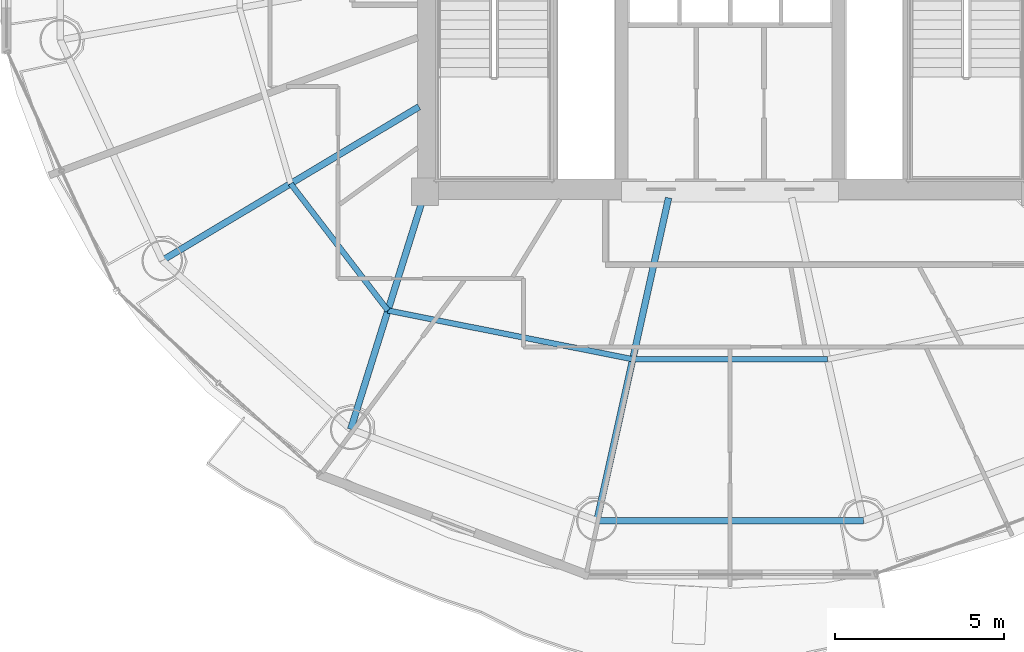
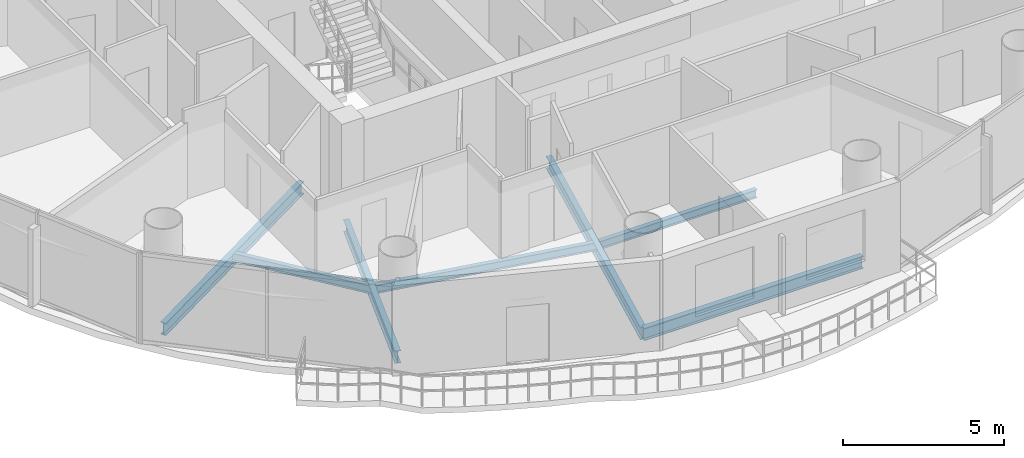
# One storey, part 4 of 26: 7 beams.
"""IFC4 building model written with IfcOpenShell, lengths in metres."""

import ifcopenshell
import ifcopenshell.guid

model = None  # the IFC model being written
_history = None  # IfcOwnerHistory: only IFC2X3 demands one
_inside = {}  # id of a spatial element -> (the spatial element, [elements in it])
_under = {}  # id of a project, library or spatial element -> (it, [spatial elements below it])
_declared = {}  # id of a project -> (the project, [libraries it declares])
_typed = {}  # id of a type object -> (the type object, [elements of that type])
_made_of = {}  # id of a material, layer set ... -> (it, [elements and type objects made of it])


def new_model(schema):
    """Start an empty IFC model of exactly this schema.

    Asked for "IFC4X3", IfcOpenShell would pick the latest addendum, in which some entities
    have other attributes; the version numbers below select the first issue.
    IFC2X3 requires an IfcOwnerHistory on every rooted entity: one is made here for all.
    """
    global model, _history
    if schema == "IFC4X3":
        model = ifcopenshell.file(schema_version=(4, 3, 0, 0))
    else:
        model = ifcopenshell.file(schema=schema)
    _inside.clear()
    _under.clear()
    _declared.clear()
    _typed.clear()
    _made_of.clear()
    _history = None
    if model.schema == "IFC2X3":
        org = make("IfcOrganization", Name="unknown")
        user = make(
            "IfcPersonAndOrganization",
            ThePerson=make("IfcPerson", FamilyName="unknown"),
            TheOrganization=org,
        )
        app = make(
            "IfcApplication",
            ApplicationDeveloper=org,
            Version="unknown",
            ApplicationFullName="unknown",
            ApplicationIdentifier="unknown",
        )
        _history = make(
            "IfcOwnerHistory",
            OwningUser=user,
            OwningApplication=app,
            ChangeAction="ADDED",
            CreationDate=0,
        )
    return model


def make(cls, **values):
    """One entity of the class cls with the attributes given. An attribute that is None is left unset."""
    return model.create_entity(
        cls, **{name: value for name, value in values.items() if value is not None}
    )


def rooted(cls, **values):
    """An entity with a GlobalId (a new one), such as an element, a storey or a relation."""
    return make(cls, GlobalId=ifcopenshell.guid.new(), OwnerHistory=_history, **values)


def si_unit(unit_type, name, prefix=None):
    """IfcSIUnit, for example si_unit("LENGTHUNIT", "METRE", prefix="MILLI")."""
    return make("IfcSIUnit", UnitType=unit_type, Prefix=prefix, Name=name)


def assignment(units):
    """IfcUnitAssignment: the units of a project."""
    return None if units is None else make("IfcUnitAssignment", Units=units)


def point(xyz):
    """IfcCartesianPoint."""
    return None if xyz is None else make("IfcCartesianPoint", Coordinates=xyz)


def direction(xyz):
    """IfcDirection."""
    return None if xyz is None else make("IfcDirection", DirectionRatios=xyz)


def frame(location, z_axis=None, x_axis=None):
    """IfcAxis2Placement3D, a coordinate frame: its origin and axes. An axis left out is left unset."""
    return make(
        "IfcAxis2Placement3D",
        Location=point(location),
        Axis=direction(z_axis),
        RefDirection=direction(x_axis),
    )


def frame_2d(location, x_axis=None):
    """IfcAxis2Placement2D, a coordinate frame in the plane: its origin and x axis."""
    return make(
        "IfcAxis2Placement2D", Location=point(location), RefDirection=direction(x_axis)
    )


def origin():
    """The frame at (0, 0, 0) with its axes left unset."""
    return frame((0.0, 0.0, 0.0))


def origin_2d():
    """The frame at (0, 0) in the plane with its x axis left unset."""
    return frame_2d((0.0, 0.0))


def place(relative_to, where):
    """IfcLocalPlacement: puts the frame where relative to a parent placement (None: the world)."""
    return make(
        "IfcLocalPlacement", PlacementRelTo=relative_to, RelativePlacement=where
    )


def context(
    kind, dimensions, precision=None, world=None, true_north=None, identifier=None
):
    """IfcGeometricRepresentationContext, for example the 3D "Model" context."""
    return make(
        "IfcGeometricRepresentationContext",
        ContextIdentifier=identifier,
        ContextType=kind,
        CoordinateSpaceDimension=dimensions,
        Precision=precision,
        WorldCoordinateSystem=world,
        TrueNorth=true_north,
    )


def subcontext(parent, identifier, kind, view, scale=None):
    """IfcGeometricRepresentationSubContext, for example "Body" below "Model"."""
    return make(
        "IfcGeometricRepresentationSubContext",
        ContextIdentifier=identifier,
        ContextType=kind,
        ParentContext=parent,
        TargetScale=scale,
        TargetView=view,
    )


def project(units=None, contexts=None):
    """IfcProject with its units and contexts."""
    return rooted(
        "IfcProject",
        Name="project",
        RepresentationContexts=contexts,
        UnitsInContext=assignment(units),
    )


def spatial(cls, under=None, at=None, **own):
    """A site, building, storey or space (cls), placed at a placement, below another one or the project."""
    s = rooted(cls, ObjectPlacement=at, **own)
    if under is not None:
        _under.setdefault(under.id(), (under, []))[1].append(s)
    return s


def profile(cls, at=None, kind="AREA", **sizes):
    """A parametric profile (cls). Its sizes go by their IFC names, for example OverallWidth=200.0."""
    return make(cls, ProfileType=kind, Position=at, **sizes)


def i_section(**sizes):
    """IfcIShapeProfileDef."""
    return profile("IfcIShapeProfileDef", **sizes)


def extrude(swept, where, along, depth):
    """IfcExtrudedAreaSolid: the profile swept, set in the frame where, extruded along a direction by depth."""
    return make(
        "IfcExtrudedAreaSolid",
        SweptArea=swept,
        Position=where,
        ExtrudedDirection=direction(along),
        Depth=depth,
    )


def shape(context_of_items, identifier, shape_type, items):
    """IfcShapeRepresentation: the items that make up one representation, for example the "Body"."""
    return make(
        "IfcShapeRepresentation",
        ContextOfItems=context_of_items,
        RepresentationIdentifier=identifier,
        RepresentationType=shape_type,
        Items=items,
    )


def material(Name=None, Category=None):
    """IfcMaterial."""
    return make("IfcMaterial", Name=Name, Category=Category)


def material_profile(
    of_material, cross_section, Name=None, Category=None, Priority=None
):
    """IfcMaterialProfile: a cross section and its material."""
    return make(
        "IfcMaterialProfile",
        Name=Name,
        Material=of_material,
        Profile=cross_section,
        Priority=Priority,
        Category=Category,
    )


def profile_set(profiles, Name=None, composite=None):
    """IfcMaterialProfileSet."""
    return make(
        "IfcMaterialProfileSet",
        Name=Name,
        MaterialProfiles=profiles,
        CompositeProfile=composite,
    )


def made_of(thing, what):
    """Note that an element or type object is made of a material, layer set ...; save() writes the relation."""
    if what is not None:
        _made_of.setdefault(what.id(), (what, []))[1].append(thing)
    return thing


def type_object(cls, material=None, **own):
    """A type object (cls), such as IfcWallType, which elements share."""
    return made_of(rooted(cls, **own), material)


def element(
    cls,
    number,
    at=None,
    inside=None,
    cuts=None,
    type_object=None,
    material=None,
    context=None,
    identifier="Body",
    shape_type=None,
    held_by="IfcProductDefinitionShape",
    body=None,
    shapes=None,
    **own,
):
    """One element of the class cls, such as IfcWall. Its Tag is "e" and its number.

    at: its placement. inside: the storey or other place that contains it. cuts: it is an
    opening in that element (IfcRelVoidsElement). A single representation is given by context,
    identifier, shape_type and body (its items); several are given by shapes. held_by: the class
    of the entity that holds the representations. save() writes the other relations.
    """
    e = rooted(cls, Tag="e%d" % number, ObjectPlacement=at, **own)
    if body is not None:
        shapes = [shape(context, identifier, shape_type, body)]
    if shapes is not None:
        e.Representation = make(held_by, Representations=shapes)
    if inside is not None:
        _inside.setdefault(inside.id(), (inside, []))[1].append(e)
    if cuts is not None:
        rooted(
            "IfcRelVoidsElement", RelatingBuildingElement=cuts, RelatedOpeningElement=e
        )
    if type_object is not None:
        _typed.setdefault(type_object.id(), (type_object, []))[1].append(e)
    return made_of(e, material)


def aggregate(whole, parts):
    """IfcRelAggregates: a whole, such as a stair, and the parts it consists of."""
    return rooted("IfcRelAggregates", RelatingObject=whole, RelatedObjects=parts)


def save(model, path):
    """Write the relations noted so far, then the file.

    IfcRelAggregates (storeys below a building ...), IfcRelContainedInSpatialStructure (elements
    in a storey), IfcRelDefinesByType, IfcRelAssociatesMaterial and IfcRelDeclares: one each for
    every whole, place, type object, material and project.
    """
    for whole, parts in _under.values():
        aggregate(whole, parts)
    for where, things in _inside.values():
        rooted(
            "IfcRelContainedInSpatialStructure",
            RelatedElements=things,
            RelatingStructure=where,
        )
    for kind, things in _typed.values():
        rooted("IfcRelDefinesByType", RelatedObjects=things, RelatingType=kind)
    for what, things in _made_of.values():
        rooted("IfcRelAssociatesMaterial", RelatedObjects=things, RelatingMaterial=what)
    for by, libraries in _declared.values():
        rooted("IfcRelDeclares", RelatingContext=by, RelatedDefinitions=libraries)
    model.write(path)


model = new_model("IFC4")

# Units and contexts
model_context = context("Model", 3, precision=1e-05, world=origin(), true_north=direction((-0.2419218956, 0.970295726276)))
body_context = subcontext(model_context, "Body", "Model", "MODEL_VIEW")
ifc_project = project(units=[si_unit("LENGTHUNIT", "METRE"), si_unit("AREAUNIT", "SQUARE_METRE"), si_unit("VOLUMEUNIT", "CUBIC_METRE"), si_unit("PLANEANGLEUNIT", "RADIAN"), si_unit("MASSUNIT", "GRAM", prefix="KILO")], contexts=[model_context])

# Site, building, storey
site_placement = place(None, origin())
site = spatial("IfcSite", under=ifc_project, at=site_placement, CompositionType="ELEMENT")
building_placement = place(site_placement, origin())
building = spatial("IfcBuilding", under=site, at=building_placement, Name="Cobrevalo Terracotta Tower", CompositionType="ELEMENT")
storey_placement = place(building_placement, frame((0.0, 0.0, 202.300048828125)))
storey = spatial("IfcBuildingStorey", under=building, at=storey_placement, Name="L53", CompositionType="ELEMENT", Elevation=202.300048828125)

# Beams
ifc_material = material(Name="Steel S355", Category="steel")
ifc_material_profile_1 = material_profile(ifc_material, i_section(OverallWidth=0.194091796875, OverallDepth=0.468994140625, WebThickness=0.011474609375, FlangeThickness=0.0205078125, at=origin_2d()), Name="W 460x106")
ifc_profile_set_1 = profile_set([ifc_material_profile_1], Name="Steel S355")
beam_type_1 = type_object("IfcBeamType", Name="Structural Beam W 460x106 (Steel S355)", PredefinedType="BEAM", material=ifc_profile_set_1)
beam_1_placement = place(storey_placement, frame((21.245849609375, 16.77197265625, -0.49951171875), z_axis=(0.858046392192, 0.513572184651, 0.0), x_axis=(-0.513572184651, 0.858046392192, 0.0)))
element("IfcBeam", 1, at=beam_1_placement, inside=storey, type_object=beam_type_1, Name="L53 radial floor girder 10", PredefinedType="BEAM", context=body_context, shape_type="SweptSolid", body=[
    extrude(i_section(OverallWidth=0.194091796875, OverallDepth=0.468994140625, WebThickness=0.011474609375, FlangeThickness=0.0205078125, at=origin_2d()), origin(), (0.0, 0.0, 1.0), 8.827392578125),
])
beam_2_placement = place(storey_placement, frame((26.80517578125, 11.7919921875, -0.49951171875), z_axis=(0.298871212691, 0.954293454984, 0.0), x_axis=(-0.954293454984, 0.298871212691, 0.0)))
element("IfcBeam", 2, at=beam_2_placement, inside=storey, type_object=beam_type_1, Name="L53 radial floor girder 11", PredefinedType="BEAM", context=body_context, shape_type="SweptSolid", body=[
    extrude(i_section(OverallWidth=0.194091796875, OverallDepth=0.468994140625, WebThickness=0.011474609375, FlangeThickness=0.0205078125, at=origin_2d()), origin(), (0.0, 0.0, 1.0), 7.34375),
])
beam_3_placement = place(storey_placement, frame((34.06884765625, 9.096923828125, -0.49951171875), z_axis=(0.216782061165, 0.976220025382, 0.0), x_axis=(-0.976220025382, 0.216782061165, 0.0)))
element("IfcBeam", 3, at=beam_3_placement, inside=storey, type_object=beam_type_1, Name="L53 radial floor girder 12", PredefinedType="BEAM", context=body_context, shape_type="SweptSolid", body=[
    extrude(i_section(OverallWidth=0.194091796875, OverallDepth=0.468994140625, WebThickness=0.011474609375, FlangeThickness=0.0205078125, at=origin_2d()), origin(), (0.0, 0.0, 1.0), 9.755126953125),
])
ifc_material_profile_2 = material_profile(ifc_material, i_section(OverallWidth=0.1650390625, OverallDepth=0.31005859375, WebThickness=0.005859375, FlangeThickness=0.009765625, at=origin_2d()), Name="W 310x38.7")
ifc_profile_set_2 = profile_set([ifc_material_profile_2], Name="Steel S355")
beam_type_2 = type_object("IfcBeamType", Name="Structural Joist W 310x38.7 (Steel S355)", PredefinedType="JOIST", material=ifc_profile_set_2)
beam_4_placement = place(storey_placement, frame((25.032958984375, 19.03857421875, -0.420166015625), z_axis=(0.608464146296, -0.793581364872, 0.0), x_axis=(0.793581364872, 0.608464146296, 0.0)))
element("IfcBeam", 4, at=beam_4_placement, inside=storey, type_object=beam_type_2, Name="L53 circumferential secondary floor joist 10", PredefinedType="JOIST", context=body_context, shape_type="SweptSolid", body=[
    extrude(i_section(OverallWidth=0.1650390625, OverallDepth=0.31005859375, WebThickness=0.005859375, FlangeThickness=0.009765625, at=origin_2d()), origin(), (0.0, 0.0, 1.0), 4.716064453125),
])
beam_5_placement = place(storey_placement, frame((27.902587890625, 15.2958984375, -0.420166015625), z_axis=(0.980768907748, -0.195172614871, 0.0), x_axis=(0.195172614871, 0.980768907748, 0.0)))
element("IfcBeam", 5, at=beam_5_placement, inside=storey, type_object=beam_type_2, Name="L53 circumferential secondary floor joist 11", PredefinedType="JOIST", context=body_context, shape_type="SweptSolid", body=[
    extrude(i_section(OverallWidth=0.1650390625, OverallDepth=0.31005859375, WebThickness=0.005859375, FlangeThickness=0.009765625, at=origin_2d()), origin(), (0.0, 0.0, 1.0), 7.365234375),
])
beam_6_placement = place(storey_placement, frame((35.126220703125, 13.8583984375, -0.420166015625), z_axis=(1.0, 0.0, 0.0), x_axis=(0.0, 1.0, 0.0)))
element("IfcBeam", 6, at=beam_6_placement, inside=storey, type_object=beam_type_2, Name="L53 circumferential secondary floor joist 12", PredefinedType="JOIST", context=body_context, shape_type="SweptSolid", body=[
    extrude(i_section(OverallWidth=0.1650390625, OverallDepth=0.31005859375, WebThickness=0.005859375, FlangeThickness=0.009765625, at=origin_2d()), origin(), (0.0, 0.0, 1.0), 5.74755859375),
])
ifc_material_profile_3 = material_profile(ifc_material, i_section(OverallWidth=0.194091796875, OverallDepth=0.468994140625, WebThickness=0.011474609375, FlangeThickness=0.0205078125, at=origin_2d()), Name="W 460x106")
ifc_profile_set_3 = profile_set([ifc_material_profile_3], Name="Steel S355")
beam_type_3 = type_object("IfcBeamType", Name="Structural Spandrel W 460x106 (Steel S355)", PredefinedType="SPANDREL", material=ifc_profile_set_3)
beam_7_placement = place(storey_placement, frame((34.06884765625, 9.096923828125, -0.49951171875), z_axis=(1.0, 0.0, 0.0), x_axis=(0.0, 1.0, 0.0)))
element("IfcBeam", 7, at=beam_7_placement, inside=storey, type_object=beam_type_3, Name="L53 perimeter ring spandrel 12", PredefinedType="SPANDREL", context=body_context, shape_type="SweptSolid", body=[
    extrude(i_section(OverallWidth=0.194091796875, OverallDepth=0.468994140625, WebThickness=0.011474609375, FlangeThickness=0.0205078125, at=origin_2d()), origin(), (0.0, 0.0, 1.0), 7.8623046875),
])

save(model, "model.ifc")
